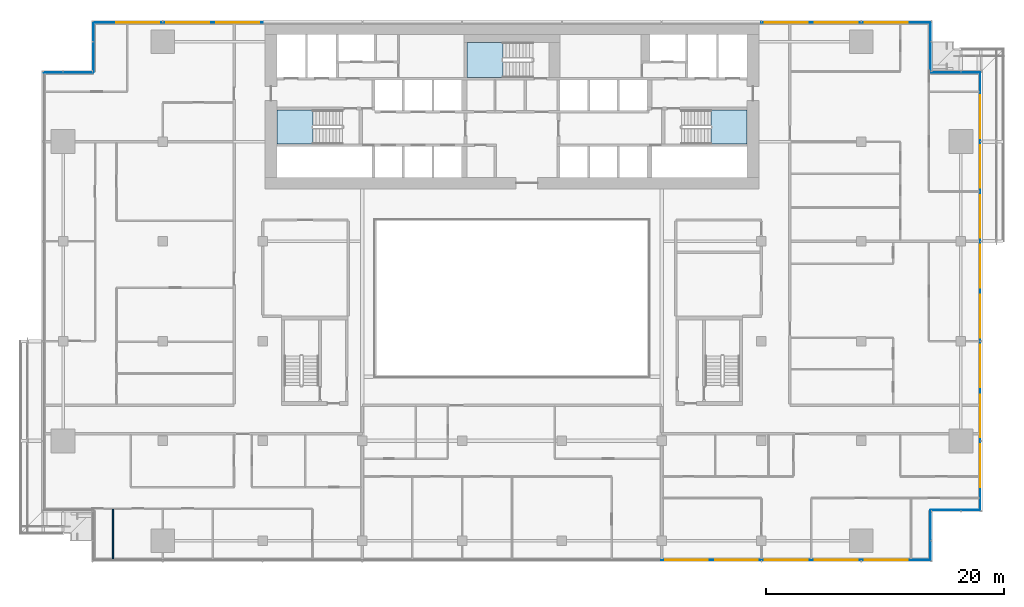
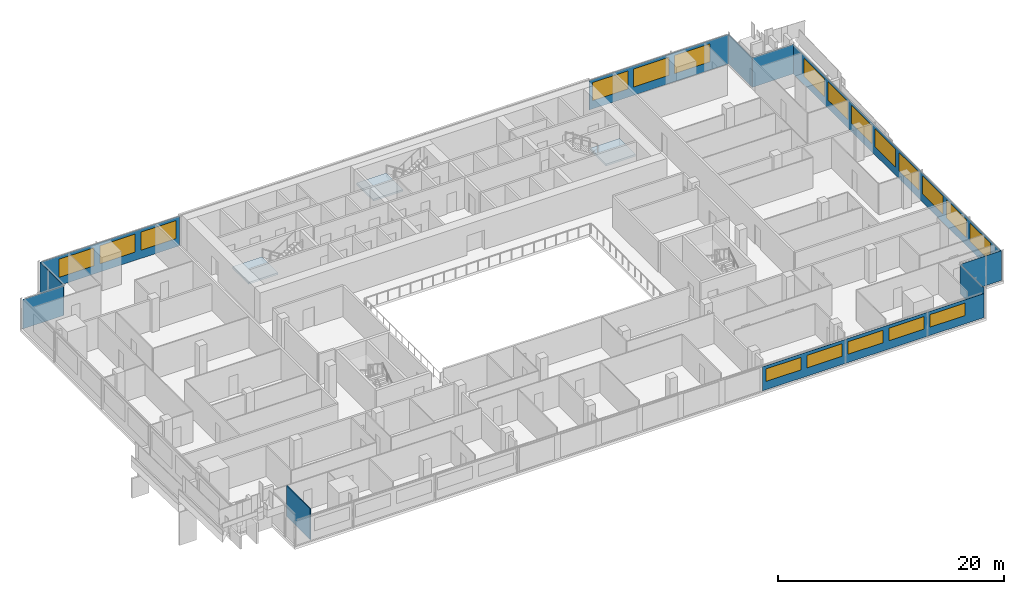
# One storey, part 15 of 27: 19 windows, 10 plates, 3 slabs, 1 wall, 19 openings, 12 elements without a shape of their own.
"""IFC4 building model written with IfcOpenShell, lengths in metres."""

import ifcopenshell
import ifcopenshell.guid

model = None  # the IFC model being written
_history = None  # IfcOwnerHistory: only IFC2X3 demands one
_inside = {}  # id of a spatial element -> (the spatial element, [elements in it])
_under = {}  # id of a project, library or spatial element -> (it, [spatial elements below it])
_declared = {}  # id of a project -> (the project, [libraries it declares])
_typed = {}  # id of a type object -> (the type object, [elements of that type])
_made_of = {}  # id of a material, layer set ... -> (it, [elements and type objects made of it])


def new_model(schema):
    """Start an empty IFC model of exactly this schema.

    Asked for "IFC4X3", IfcOpenShell would pick the latest addendum, in which some entities
    have other attributes; the version numbers below select the first issue.
    IFC2X3 requires an IfcOwnerHistory on every rooted entity: one is made here for all.
    """
    global model, _history
    if schema == "IFC4X3":
        model = ifcopenshell.file(schema_version=(4, 3, 0, 0))
    else:
        model = ifcopenshell.file(schema=schema)
    _inside.clear()
    _under.clear()
    _declared.clear()
    _typed.clear()
    _made_of.clear()
    _history = None
    if model.schema == "IFC2X3":
        org = make("IfcOrganization", Name="unknown")
        user = make(
            "IfcPersonAndOrganization",
            ThePerson=make("IfcPerson", FamilyName="unknown"),
            TheOrganization=org,
        )
        app = make(
            "IfcApplication",
            ApplicationDeveloper=org,
            Version="unknown",
            ApplicationFullName="unknown",
            ApplicationIdentifier="unknown",
        )
        _history = make(
            "IfcOwnerHistory",
            OwningUser=user,
            OwningApplication=app,
            ChangeAction="ADDED",
            CreationDate=0,
        )
    return model


def make(cls, **values):
    """One entity of the class cls with the attributes given. An attribute that is None is left unset."""
    return model.create_entity(
        cls, **{name: value for name, value in values.items() if value is not None}
    )


def rooted(cls, **values):
    """An entity with a GlobalId (a new one), such as an element, a storey or a relation."""
    return make(cls, GlobalId=ifcopenshell.guid.new(), OwnerHistory=_history, **values)


def si_unit(unit_type, name, prefix=None):
    """IfcSIUnit, for example si_unit("LENGTHUNIT", "METRE", prefix="MILLI")."""
    return make("IfcSIUnit", UnitType=unit_type, Prefix=prefix, Name=name)


def assignment(units):
    """IfcUnitAssignment: the units of a project."""
    return None if units is None else make("IfcUnitAssignment", Units=units)


def point(xyz):
    """IfcCartesianPoint."""
    return None if xyz is None else make("IfcCartesianPoint", Coordinates=xyz)


def direction(xyz):
    """IfcDirection."""
    return None if xyz is None else make("IfcDirection", DirectionRatios=xyz)


def frame(location, z_axis=None, x_axis=None):
    """IfcAxis2Placement3D, a coordinate frame: its origin and axes. An axis left out is left unset."""
    return make(
        "IfcAxis2Placement3D",
        Location=point(location),
        Axis=direction(z_axis),
        RefDirection=direction(x_axis),
    )


def frame_2d(location, x_axis=None):
    """IfcAxis2Placement2D, a coordinate frame in the plane: its origin and x axis."""
    return make(
        "IfcAxis2Placement2D", Location=point(location), RefDirection=direction(x_axis)
    )


def origin():
    """The frame at (0, 0, 0) with its axes left unset."""
    return frame((0.0, 0.0, 0.0))


def place(relative_to, where):
    """IfcLocalPlacement: puts the frame where relative to a parent placement (None: the world)."""
    return make(
        "IfcLocalPlacement", PlacementRelTo=relative_to, RelativePlacement=where
    )


def context(
    kind, dimensions, precision=None, world=None, true_north=None, identifier=None
):
    """IfcGeometricRepresentationContext, for example the 3D "Model" context."""
    return make(
        "IfcGeometricRepresentationContext",
        ContextIdentifier=identifier,
        ContextType=kind,
        CoordinateSpaceDimension=dimensions,
        Precision=precision,
        WorldCoordinateSystem=world,
        TrueNorth=true_north,
    )


def subcontext(parent, identifier, kind, view, scale=None):
    """IfcGeometricRepresentationSubContext, for example "Body" below "Model"."""
    return make(
        "IfcGeometricRepresentationSubContext",
        ContextIdentifier=identifier,
        ContextType=kind,
        ParentContext=parent,
        TargetScale=scale,
        TargetView=view,
    )


def project(units=None, contexts=None):
    """IfcProject with its units and contexts."""
    return rooted(
        "IfcProject",
        Name="project",
        RepresentationContexts=contexts,
        UnitsInContext=assignment(units),
    )


def spatial(cls, under=None, at=None, **own):
    """A site, building, storey or space (cls), placed at a placement, below another one or the project."""
    s = rooted(cls, ObjectPlacement=at, **own)
    if under is not None:
        _under.setdefault(under.id(), (under, []))[1].append(s)
    return s


def polyline(points):
    """IfcPolyline through the points."""
    return make("IfcPolyline", Points=[point(p) for p in points])


def profile(cls, at=None, kind="AREA", **sizes):
    """A parametric profile (cls). Its sizes go by their IFC names, for example OverallWidth=200.0."""
    return make(cls, ProfileType=kind, Position=at, **sizes)


def rectangle(**sizes):
    """IfcRectangleProfileDef."""
    return profile("IfcRectangleProfileDef", **sizes)


def outline(outer, holes=None, kind="AREA"):
    """IfcArbitraryClosedProfileDef: a profile drawn as a closed curve; with holes, ...WithVoids."""
    if holes is None:
        return make("IfcArbitraryClosedProfileDef", ProfileType=kind, OuterCurve=outer)
    return make(
        "IfcArbitraryProfileDefWithVoids",
        ProfileType=kind,
        OuterCurve=outer,
        InnerCurves=holes,
    )


def extrude(swept, where, along, depth):
    """IfcExtrudedAreaSolid: the profile swept, set in the frame where, extruded along a direction by depth."""
    return make(
        "IfcExtrudedAreaSolid",
        SweptArea=swept,
        Position=where,
        ExtrudedDirection=direction(along),
        Depth=depth,
    )


def shape(context_of_items, identifier, shape_type, items):
    """IfcShapeRepresentation: the items that make up one representation, for example the "Body"."""
    return make(
        "IfcShapeRepresentation",
        ContextOfItems=context_of_items,
        RepresentationIdentifier=identifier,
        RepresentationType=shape_type,
        Items=items,
    )


def material(Name=None, Category=None):
    """IfcMaterial."""
    return make("IfcMaterial", Name=Name, Category=Category)


def layer(
    of_material, thickness, ventilated=None, Name=None, Category=None, Priority=None
):
    """IfcMaterialLayer: one layer of a wall or slab, of a material (None: an air gap)."""
    return make(
        "IfcMaterialLayer",
        Material=of_material,
        LayerThickness=thickness,
        IsVentilated=ventilated,
        Name=Name,
        Category=Category,
        Priority=Priority,
    )


def layer_set(layers, Name=None):
    """IfcMaterialLayerSet."""
    return make("IfcMaterialLayerSet", MaterialLayers=layers, LayerSetName=Name)


def made_of(thing, what):
    """Note that an element or type object is made of a material, layer set ...; save() writes the relation."""
    if what is not None:
        _made_of.setdefault(what.id(), (what, []))[1].append(thing)
    return thing


def type_object(cls, material=None, **own):
    """A type object (cls), such as IfcWallType, which elements share."""
    return made_of(rooted(cls, **own), material)


def element(
    cls,
    number,
    at=None,
    inside=None,
    cuts=None,
    type_object=None,
    material=None,
    context=None,
    identifier="Body",
    shape_type=None,
    held_by="IfcProductDefinitionShape",
    body=None,
    shapes=None,
    **own,
):
    """One element of the class cls, such as IfcWall. Its Tag is "e" and its number.

    at: its placement. inside: the storey or other place that contains it. cuts: it is an
    opening in that element (IfcRelVoidsElement). A single representation is given by context,
    identifier, shape_type and body (its items); several are given by shapes. held_by: the class
    of the entity that holds the representations. save() writes the other relations.
    """
    e = rooted(cls, Tag="e%d" % number, ObjectPlacement=at, **own)
    if body is not None:
        shapes = [shape(context, identifier, shape_type, body)]
    if shapes is not None:
        e.Representation = make(held_by, Representations=shapes)
    if inside is not None:
        _inside.setdefault(inside.id(), (inside, []))[1].append(e)
    if cuts is not None:
        rooted(
            "IfcRelVoidsElement", RelatingBuildingElement=cuts, RelatedOpeningElement=e
        )
    if type_object is not None:
        _typed.setdefault(type_object.id(), (type_object, []))[1].append(e)
    return made_of(e, material)


def fill(opening, filler):
    """IfcRelFillsElement: the door or window that sits in an opening."""
    return rooted(
        "IfcRelFillsElement",
        RelatingOpeningElement=opening,
        RelatedBuildingElement=filler,
    )


def aggregate(whole, parts):
    """IfcRelAggregates: a whole, such as a stair, and the parts it consists of."""
    return rooted("IfcRelAggregates", RelatingObject=whole, RelatedObjects=parts)


def save(model, path):
    """Write the relations noted so far, then the file.

    IfcRelAggregates (storeys below a building ...), IfcRelContainedInSpatialStructure (elements
    in a storey), IfcRelDefinesByType, IfcRelAssociatesMaterial and IfcRelDeclares: one each for
    every whole, place, type object, material and project.
    """
    for whole, parts in _under.values():
        aggregate(whole, parts)
    for where, things in _inside.values():
        rooted(
            "IfcRelContainedInSpatialStructure",
            RelatedElements=things,
            RelatingStructure=where,
        )
    for kind, things in _typed.values():
        rooted("IfcRelDefinesByType", RelatedObjects=things, RelatingType=kind)
    for what, things in _made_of.values():
        rooted("IfcRelAssociatesMaterial", RelatedObjects=things, RelatingMaterial=what)
    for by, libraries in _declared.values():
        rooted("IfcRelDeclares", RelatingContext=by, RelatedDefinitions=libraries)
    model.write(path)


model = new_model("IFC4")

# Units and contexts
model_context = context("Model", 3, precision=1e-05, world=origin(), true_north=direction((0.0, 1.0)))
body_context = subcontext(model_context, "Body", "Model", "MODEL_VIEW")
ifc_project = project(units=[si_unit("LENGTHUNIT", "METRE"), si_unit("AREAUNIT", "SQUARE_METRE"), si_unit("VOLUMEUNIT", "CUBIC_METRE"), si_unit("PLANEANGLEUNIT", "RADIAN"), si_unit("MASSUNIT", "GRAM", prefix="KILO")], contexts=[model_context])

# Site, building, storey
site_placement = place(None, origin())
site = spatial("IfcSite", under=ifc_project, at=site_placement, CompositionType="ELEMENT")
building_placement = place(site_placement, origin())
building = spatial("IfcBuilding", under=site, at=building_placement, Name="Saffron Gate Tower", CompositionType="ELEMENT")
storey_placement = place(building_placement, frame((0.0, 0.0, 134.85009765625)))
storey = spatial("IfcBuildingStorey", under=building, at=storey_placement, Name="L32", CompositionType="ELEMENT", Elevation=134.85009765625)

# Curtain wall, plate, openings, windows
ifc_material_1 = material(Name="Aluminium, bronze anodised", Category="aluminium")
curtain_wall_type_1 = type_object("IfcCurtainWallType", Name="CWS1 curtain wall front facade", PredefinedType="NOTDEFINED", material=ifc_material_1)
curtain_wall_1_placement = place(storey_placement, origin())
curtain_wall_1 = element("IfcCurtainWall", 1, at=curtain_wall_1_placement, inside=storey, type_object=curtain_wall_type_1, Name="CWS1 run 1", PredefinedType="NOTDEFINED")
ifc_material_2 = material(Name="Fritted bronze-tinted laminated glass", Category="glass")
ifc_layer_1 = layer(ifc_material_2, 0.028076171875)
ifc_layer_set_1 = layer_set([ifc_layer_1], Name="CWS1 fixed glass")
plate_type_1 = type_object("IfcPlateType", Name="CWS1 fixed glass", PredefinedType="CURTAIN_PANEL", material=ifc_layer_set_1)
plate_1_placement = place(storey_placement, frame((100.169921875, 30.174072265625, 0.0), z_axis=(0.0, 0.0, 1.0), x_axis=(1.0, 0.0, 0.0)))
plate_1 = element("IfcPlate", 2, at=plate_1_placement, type_object=plate_type_1, Name="CWS1 glass panel", PredefinedType="CURTAIN_PANEL", context=body_context, shape_type="SweptSolid", body=[
    extrude(rectangle(XDim=22.64208984375, YDim=0.028076171875, at=frame_2d((11.321044921875, 0.0))), origin(), (0.0, 0.0, 1.0), 2.599853515625),
])
opening_1_placement = place(plate_1_placement, frame((0.330078125, 0.0, 0.89990234375)))
opening_1 = element("IfcOpeningElement", 3, at=opening_1_placement, cuts=plate_1, Name="Opening W12", PredefinedType="OPENING", context=body_context, shape_type="SweptSolid", body=[
    extrude(rectangle(XDim=3.60009765625, YDim=1.35009765625, at=frame_2d((1.800048828125, 0.675048828125))), frame((0.0, 0.02392578125, 0.0), z_axis=(0.0, -1.0, 0.0), x_axis=(1.0, 0.0, 0.0)), (0.0, 0.0, 1.0), 0.048095703125),
])
opening_2_placement = place(plate_1_placement, frame((4.530029296875, 0.0, 0.89990234375)))
opening_2 = element("IfcOpeningElement", 4, at=opening_2_placement, cuts=plate_1, Name="Opening W12", PredefinedType="OPENING", context=body_context, shape_type="SweptSolid", body=[
    extrude(rectangle(XDim=3.60009765625, YDim=1.35009765625, at=frame_2d((1.800048828125, 0.675048828125))), frame((0.0, 0.02392578125, 0.0), z_axis=(0.0, -1.0, 0.0), x_axis=(1.0, 0.0, 0.0)), (0.0, 0.0, 1.0), 0.048095703125),
])
opening_3_placement = place(plate_1_placement, frame((8.72998046875, 0.0, 0.89990234375)))
opening_3 = element("IfcOpeningElement", 5, at=opening_3_placement, cuts=plate_1, Name="Opening W12", PredefinedType="OPENING", context=body_context, shape_type="SweptSolid", body=[
    extrude(rectangle(XDim=3.60009765625, YDim=1.35009765625, at=frame_2d((1.800048828125, 0.675048828125))), frame((0.0, 0.02392578125, 0.0), z_axis=(0.0, -1.0, 0.0), x_axis=(1.0, 0.0, 0.0)), (0.0, 0.0, 1.0), 0.048095703125),
])
opening_4_placement = place(plate_1_placement, frame((12.929931640625, 0.0, 0.89990234375)))
opening_4 = element("IfcOpeningElement", 6, at=opening_4_placement, cuts=plate_1, Name="Opening W12", PredefinedType="OPENING", context=body_context, shape_type="SweptSolid", body=[
    extrude(rectangle(XDim=3.60009765625, YDim=1.35009765625, at=frame_2d((1.800048828125, 0.675048828125))), frame((0.0, 0.02392578125, 0.0), z_axis=(0.0, -1.0, 0.0), x_axis=(1.0, 0.0, 0.0)), (0.0, 0.0, 1.0), 0.048095703125),
])
opening_5_placement = place(plate_1_placement, frame((17.1298828125, 0.0, 0.89990234375)))
opening_5 = element("IfcOpeningElement", 7, at=opening_5_placement, cuts=plate_1, Name="Opening W12", PredefinedType="OPENING", context=body_context, shape_type="SweptSolid", body=[
    extrude(rectangle(XDim=3.60009765625, YDim=1.35009765625, at=frame_2d((1.800048828125, 0.675048828125))), frame((0.0, 0.02392578125, 0.0), z_axis=(0.0, -1.0, 0.0), x_axis=(1.0, 0.0, 0.0)), (0.0, 0.0, 1.0), 0.048095703125),
])
ifc_material_3 = material(Name="Fritted bronze-tinted laminated glass in bronze frame", Category="glass")
ifc_layer_2 = layer(ifc_material_3, 0.06005859375)
ifc_layer_set_2 = layer_set([ifc_layer_2], Name="W12 operable panel 3600x1350")
window_type_1 = type_object("IfcWindowType", Name="W12 operable panel 3600x1350", PartitioningType="DOUBLE_PANEL_HORIZONTAL", PredefinedType="WINDOW", material=ifc_layer_set_2)
window_1_placement = place(opening_1_placement, origin())
window_1 = element("IfcWindow", 8, at=window_1_placement, type_object=window_type_1, Name="W12 operable panel", OverallHeight=1.35009765625, OverallWidth=3.60009765625, PartitioningType="SINGLE_PANEL", PredefinedType="WINDOW", context=body_context, shape_type="SweptSolid", body=[
    extrude(rectangle(XDim=3.60009765625, YDim=1.35009765625, at=frame_2d((1.800048828125, 0.675048828125))), frame((0.0, 0.013671875, 0.0), z_axis=(0.0, -1.0, 0.0), x_axis=(1.0, 0.0, 0.0)), (0.0, 0.0, 1.0), 0.027587890625),
])
fill(opening_1, window_1)
window_2_placement = place(opening_2_placement, origin())
window_2 = element("IfcWindow", 9, at=window_2_placement, type_object=window_type_1, Name="W12 operable panel", OverallHeight=1.35009765625, OverallWidth=3.60009765625, PartitioningType="SINGLE_PANEL", PredefinedType="WINDOW", context=body_context, shape_type="SweptSolid", body=[
    extrude(rectangle(XDim=3.60009765625, YDim=1.35009765625, at=frame_2d((1.800048828125, 0.675048828125))), frame((0.0, 0.013671875, 0.0), z_axis=(0.0, -1.0, 0.0), x_axis=(1.0, 0.0, 0.0)), (0.0, 0.0, 1.0), 0.027587890625),
])
fill(opening_2, window_2)
window_3_placement = place(opening_3_placement, origin())
window_3 = element("IfcWindow", 10, at=window_3_placement, type_object=window_type_1, Name="W12 operable panel", OverallHeight=1.35009765625, OverallWidth=3.60009765625, PartitioningType="SINGLE_PANEL", PredefinedType="WINDOW", context=body_context, shape_type="SweptSolid", body=[
    extrude(rectangle(XDim=3.60009765625, YDim=1.35009765625, at=frame_2d((1.800048828125, 0.675048828125))), frame((0.0, 0.013671875, 0.0), z_axis=(0.0, -1.0, 0.0), x_axis=(1.0, 0.0, 0.0)), (0.0, 0.0, 1.0), 0.027587890625),
])
fill(opening_3, window_3)
window_4_placement = place(opening_4_placement, origin())
window_4 = element("IfcWindow", 11, at=window_4_placement, type_object=window_type_1, Name="W12 operable panel", OverallHeight=1.35009765625, OverallWidth=3.60009765625, PartitioningType="SINGLE_PANEL", PredefinedType="WINDOW", context=body_context, shape_type="SweptSolid", body=[
    extrude(rectangle(XDim=3.60009765625, YDim=1.35009765625, at=frame_2d((1.800048828125, 0.675048828125))), frame((0.0, 0.013671875, 0.0), z_axis=(0.0, -1.0, 0.0), x_axis=(1.0, 0.0, 0.0)), (0.0, 0.0, 1.0), 0.027587890625),
])
fill(opening_4, window_4)
window_5_placement = place(opening_5_placement, origin())
window_5 = element("IfcWindow", 12, at=window_5_placement, type_object=window_type_1, Name="W12 operable panel", OverallHeight=1.35009765625, OverallWidth=3.60009765625, PartitioningType="SINGLE_PANEL", PredefinedType="WINDOW", context=body_context, shape_type="SweptSolid", body=[
    extrude(rectangle(XDim=3.60009765625, YDim=1.35009765625, at=frame_2d((1.800048828125, 0.675048828125))), frame((0.0, 0.013671875, 0.0), z_axis=(0.0, -1.0, 0.0), x_axis=(1.0, 0.0, 0.0)), (0.0, 0.0, 1.0), 0.027587890625),
])
fill(opening_5, window_5)
aggregate(curtain_wall_1, [plate_1, window_1, window_2, window_3, window_4, window_5])

curtain_wall_type_2 = type_object("IfcCurtainWallType", Name="CWS2 curtain wall side facades", PredefinedType="NOTDEFINED", material=ifc_material_1)
curtain_wall_2_placement = place(storey_placement, origin())
curtain_wall_2 = element("IfcCurtainWall", 13, at=curtain_wall_2_placement, inside=storey, type_object=curtain_wall_type_2, Name="CWS2 run 4", PredefinedType="NOTDEFINED")
ifc_layer_3 = layer(ifc_material_2, 0.028076171875)
ifc_layer_set_3 = layer_set([ifc_layer_3], Name="CWS2 fixed glass")
plate_type_2 = type_object("IfcPlateType", Name="CWS2 fixed glass", PredefinedType="CURTAIN_PANEL", material=ifc_layer_set_3)
plate_2_placement = place(storey_placement, frame((127.02587890625, 34.387939453125, 0.0), z_axis=(0.0, 0.0, 1.0), x_axis=(0.0, 1.0, 0.0)))
plate_2 = element("IfcPlate", 14, at=plate_2_placement, type_object=plate_type_2, Name="CWS2 glass panel", PredefinedType="CURTAIN_PANEL", context=body_context, shape_type="SweptSolid", body=[
    extrude(rectangle(XDim=36.823974609375, YDim=0.028076171875, at=frame_2d((18.412109375, 0.0))), origin(), (0.0, 0.0, 1.0), 3.199951171875),
])
opening_6_placement = place(plate_2_placement, frame((1.912109375, 0.0, 0.89990234375)))
opening_6 = element("IfcOpeningElement", 15, at=opening_6_placement, cuts=plate_2, Name="Opening W1", PredefinedType="OPENING", context=body_context, shape_type="SweptSolid", body=[
    extrude(rectangle(XDim=3.60009765625, YDim=1.949951171875, at=frame_2d((1.800048828125, 0.97509765625))), frame((0.0, 0.02392578125, 0.0), z_axis=(0.0, -1.0, 0.0), x_axis=(1.0, 0.0, 0.0)), (0.0, 0.0, 1.0), 0.048095703125),
])
opening_7_placement = place(plate_2_placement, frame((6.112060546875, 0.0, 0.89990234375)))
opening_7 = element("IfcOpeningElement", 16, at=opening_7_placement, cuts=plate_2, Name="Opening W1", PredefinedType="OPENING", context=body_context, shape_type="SweptSolid", body=[
    extrude(rectangle(XDim=3.60009765625, YDim=1.949951171875, at=frame_2d((1.800048828125, 0.97509765625))), frame((0.0, 0.02392578125, 0.0), z_axis=(0.0, -1.0, 0.0), x_axis=(1.0, 0.0, 0.0)), (0.0, 0.0, 1.0), 0.048095703125),
])
opening_8_placement = place(plate_2_placement, frame((10.31201171875, 0.0, 0.89990234375)))
opening_8 = element("IfcOpeningElement", 17, at=opening_8_placement, cuts=plate_2, Name="Opening W1", PredefinedType="OPENING", context=body_context, shape_type="SweptSolid", body=[
    extrude(rectangle(XDim=3.60009765625, YDim=1.949951171875, at=frame_2d((1.800048828125, 0.97509765625))), frame((0.0, 0.02392578125, 0.0), z_axis=(0.0, -1.0, 0.0), x_axis=(1.0, 0.0, 0.0)), (0.0, 0.0, 1.0), 0.048095703125),
])
opening_9_placement = place(plate_2_placement, frame((14.511962890625, 0.0, 0.89990234375)))
opening_9 = element("IfcOpeningElement", 18, at=opening_9_placement, cuts=plate_2, Name="Opening W1", PredefinedType="OPENING", context=body_context, shape_type="SweptSolid", body=[
    extrude(rectangle(XDim=3.60009765625, YDim=1.949951171875, at=frame_2d((1.800048828125, 0.97509765625))), frame((0.0, 0.02392578125, 0.0), z_axis=(0.0, -1.0, 0.0), x_axis=(1.0, 0.0, 0.0)), (0.0, 0.0, 1.0), 0.048095703125),
])
opening_10_placement = place(plate_2_placement, frame((18.7119140625, 0.0, 0.89990234375)))
opening_10 = element("IfcOpeningElement", 19, at=opening_10_placement, cuts=plate_2, Name="Opening W1", PredefinedType="OPENING", context=body_context, shape_type="SweptSolid", body=[
    extrude(rectangle(XDim=3.60009765625, YDim=1.949951171875, at=frame_2d((1.800048828125, 0.97509765625))), frame((0.0, 0.02392578125, 0.0), z_axis=(0.0, -1.0, 0.0), x_axis=(1.0, 0.0, 0.0)), (0.0, 0.0, 1.0), 0.048095703125),
])
opening_11_placement = place(plate_2_placement, frame((22.912109375, 0.0, 0.89990234375)))
opening_11 = element("IfcOpeningElement", 20, at=opening_11_placement, cuts=plate_2, Name="Opening W1", PredefinedType="OPENING", context=body_context, shape_type="SweptSolid", body=[
    extrude(rectangle(XDim=3.60009765625, YDim=1.949951171875, at=frame_2d((1.800048828125, 0.97509765625))), frame((0.0, 0.02392578125, 0.0), z_axis=(0.0, -1.0, 0.0), x_axis=(1.0, 0.0, 0.0)), (0.0, 0.0, 1.0), 0.048095703125),
])
opening_12_placement = place(plate_2_placement, frame((27.112060546875, 0.0, 0.89990234375)))
opening_12 = element("IfcOpeningElement", 21, at=opening_12_placement, cuts=plate_2, Name="Opening W1", PredefinedType="OPENING", context=body_context, shape_type="SweptSolid", body=[
    extrude(rectangle(XDim=3.60009765625, YDim=1.949951171875, at=frame_2d((1.800048828125, 0.97509765625))), frame((0.0, 0.02392578125, 0.0), z_axis=(0.0, -1.0, 0.0), x_axis=(1.0, 0.0, 0.0)), (0.0, 0.0, 1.0), 0.048095703125),
])
opening_13_placement = place(plate_2_placement, frame((31.31201171875, 0.0, 0.89990234375)))
opening_13 = element("IfcOpeningElement", 22, at=opening_13_placement, cuts=plate_2, Name="Opening W1", PredefinedType="OPENING", context=body_context, shape_type="SweptSolid", body=[
    extrude(rectangle(XDim=3.60009765625, YDim=1.949951171875, at=frame_2d((1.800048828125, 0.97509765625))), frame((0.0, 0.02392578125, 0.0), z_axis=(0.0, -1.0, 0.0), x_axis=(1.0, 0.0, 0.0)), (0.0, 0.0, 1.0), 0.048095703125),
])
ifc_layer_4 = layer(ifc_material_3, 0.06005859375)
ifc_layer_set_4 = layer_set([ifc_layer_4], Name="W1 operable panel 3600x1950")
window_type_2 = type_object("IfcWindowType", Name="W1 operable panel 3600x1950", PartitioningType="DOUBLE_PANEL_HORIZONTAL", PredefinedType="WINDOW", material=ifc_layer_set_4)
window_6_placement = place(opening_6_placement, origin())
window_6 = element("IfcWindow", 23, at=window_6_placement, type_object=window_type_2, Name="W1 operable panel", OverallHeight=1.949951171875, OverallWidth=3.60009765625, PartitioningType="SINGLE_PANEL", PredefinedType="WINDOW", context=body_context, shape_type="SweptSolid", body=[
    extrude(rectangle(XDim=3.60009765625, YDim=1.949951171875, at=frame_2d((1.800048828125, 0.97509765625))), frame((0.0, 0.013671875, 0.0), z_axis=(0.0, -1.0, 0.0), x_axis=(1.0, 0.0, 0.0)), (0.0, 0.0, 1.0), 0.027587890625),
])
fill(opening_6, window_6)
window_7_placement = place(opening_7_placement, origin())
window_7 = element("IfcWindow", 24, at=window_7_placement, type_object=window_type_2, Name="W1 operable panel", OverallHeight=1.949951171875, OverallWidth=3.60009765625, PartitioningType="SINGLE_PANEL", PredefinedType="WINDOW", context=body_context, shape_type="SweptSolid", body=[
    extrude(rectangle(XDim=3.60009765625, YDim=1.949951171875, at=frame_2d((1.800048828125, 0.97509765625))), frame((0.0, 0.013671875, 0.0), z_axis=(0.0, -1.0, 0.0), x_axis=(1.0, 0.0, 0.0)), (0.0, 0.0, 1.0), 0.027587890625),
])
fill(opening_7, window_7)
window_8_placement = place(opening_8_placement, origin())
window_8 = element("IfcWindow", 25, at=window_8_placement, type_object=window_type_2, Name="W1 operable panel", OverallHeight=1.949951171875, OverallWidth=3.60009765625, PartitioningType="SINGLE_PANEL", PredefinedType="WINDOW", context=body_context, shape_type="SweptSolid", body=[
    extrude(rectangle(XDim=3.60009765625, YDim=1.949951171875, at=frame_2d((1.800048828125, 0.97509765625))), frame((0.0, 0.013671875, 0.0), z_axis=(0.0, -1.0, 0.0), x_axis=(1.0, 0.0, 0.0)), (0.0, 0.0, 1.0), 0.027587890625),
])
fill(opening_8, window_8)
window_9_placement = place(opening_9_placement, origin())
window_9 = element("IfcWindow", 26, at=window_9_placement, type_object=window_type_2, Name="W1 operable panel", OverallHeight=1.949951171875, OverallWidth=3.60009765625, PartitioningType="SINGLE_PANEL", PredefinedType="WINDOW", context=body_context, shape_type="SweptSolid", body=[
    extrude(rectangle(XDim=3.60009765625, YDim=1.949951171875, at=frame_2d((1.800048828125, 0.97509765625))), frame((0.0, 0.013671875, 0.0), z_axis=(0.0, -1.0, 0.0), x_axis=(1.0, 0.0, 0.0)), (0.0, 0.0, 1.0), 0.027587890625),
])
fill(opening_9, window_9)
window_10_placement = place(opening_10_placement, origin())
window_10 = element("IfcWindow", 27, at=window_10_placement, type_object=window_type_2, Name="W1 operable panel", OverallHeight=1.949951171875, OverallWidth=3.60009765625, PartitioningType="SINGLE_PANEL", PredefinedType="WINDOW", context=body_context, shape_type="SweptSolid", body=[
    extrude(rectangle(XDim=3.60009765625, YDim=1.949951171875, at=frame_2d((1.800048828125, 0.97509765625))), frame((0.0, 0.013671875, 0.0), z_axis=(0.0, -1.0, 0.0), x_axis=(1.0, 0.0, 0.0)), (0.0, 0.0, 1.0), 0.027587890625),
])
fill(opening_10, window_10)
window_11_placement = place(opening_11_placement, origin())
window_11 = element("IfcWindow", 28, at=window_11_placement, type_object=window_type_2, Name="W1 operable panel", OverallHeight=1.949951171875, OverallWidth=3.60009765625, PartitioningType="SINGLE_PANEL", PredefinedType="WINDOW", context=body_context, shape_type="SweptSolid", body=[
    extrude(rectangle(XDim=3.60009765625, YDim=1.949951171875, at=frame_2d((1.800048828125, 0.97509765625))), frame((0.0, 0.013671875, 0.0), z_axis=(0.0, -1.0, 0.0), x_axis=(1.0, 0.0, 0.0)), (0.0, 0.0, 1.0), 0.027587890625),
])
fill(opening_11, window_11)
window_12_placement = place(opening_12_placement, origin())
window_12 = element("IfcWindow", 29, at=window_12_placement, type_object=window_type_2, Name="W1 operable panel", OverallHeight=1.949951171875, OverallWidth=3.60009765625, PartitioningType="SINGLE_PANEL", PredefinedType="WINDOW", context=body_context, shape_type="SweptSolid", body=[
    extrude(rectangle(XDim=3.60009765625, YDim=1.949951171875, at=frame_2d((1.800048828125, 0.97509765625))), frame((0.0, 0.013671875, 0.0), z_axis=(0.0, -1.0, 0.0), x_axis=(1.0, 0.0, 0.0)), (0.0, 0.0, 1.0), 0.027587890625),
])
fill(opening_12, window_12)
window_13_placement = place(opening_13_placement, origin())
window_13 = element("IfcWindow", 30, at=window_13_placement, type_object=window_type_2, Name="W1 operable panel", OverallHeight=1.949951171875, OverallWidth=3.60009765625, PartitioningType="SINGLE_PANEL", PredefinedType="WINDOW", context=body_context, shape_type="SweptSolid", body=[
    extrude(rectangle(XDim=3.60009765625, YDim=1.949951171875, at=frame_2d((1.800048828125, 0.97509765625))), frame((0.0, 0.013671875, 0.0), z_axis=(0.0, -1.0, 0.0), x_axis=(1.0, 0.0, 0.0)), (0.0, 0.0, 1.0), 0.027587890625),
])
fill(opening_13, window_13)
aggregate(curtain_wall_2, [plate_2, window_6, window_7, window_8, window_9, window_10, window_11, window_12, window_13])

# Curtain wall, plates, openings, windows
curtain_wall_type_3 = type_object("IfcCurtainWallType", Name="CWS3 curtain wall rear facade", PredefinedType="NOTDEFINED", material=ifc_material_1)
curtain_wall_3_placement = place(storey_placement, origin())
curtain_wall_3 = element("IfcCurtainWall", 31, at=curtain_wall_3_placement, inside=storey, type_object=curtain_wall_type_3, Name="CWS3 run 7", PredefinedType="NOTDEFINED")
ifc_material_4 = material(Name="Fritted grey-tinted laminated glass", Category="glass")
ifc_layer_5 = layer(ifc_material_4, 0.028076171875)
ifc_layer_set_5 = layer_set([ifc_layer_5], Name="CWS3 fixed glass")
plate_type_3 = type_object("IfcPlateType", Name="CWS3 fixed glass", PredefinedType="CURTAIN_PANEL", material=ifc_layer_set_5)
plate_3_placement = place(storey_placement, frame((122.81201171875, 75.426025390625, 0.0), z_axis=(0.0, 0.0, 1.0), x_axis=(-1.0, 0.0, 0.0)))
plate_3 = element("IfcPlate", 32, at=plate_3_placement, type_object=plate_type_3, Name="CWS3 glass panel", PredefinedType="CURTAIN_PANEL", context=body_context, shape_type="SweptSolid", body=[
    extrude(rectangle(XDim=14.2470703125, YDim=0.028076171875, at=frame_2d((7.12353515625, 0.0))), origin(), (0.0, 0.0, 1.0), 3.199951171875),
])
opening_14_placement = place(plate_3_placement, frame((1.912109375, 0.0, 0.89990234375)))
opening_14 = element("IfcOpeningElement", 33, at=opening_14_placement, cuts=plate_3, Name="Opening W1", PredefinedType="OPENING", context=body_context, shape_type="SweptSolid", body=[
    extrude(rectangle(XDim=3.60009765625, YDim=1.949951171875, at=frame_2d((1.800048828125, 0.97509765625))), frame((0.0, 0.02392578125, 0.0), z_axis=(0.0, -1.0, 0.0), x_axis=(1.0, 0.0, 0.0)), (0.0, 0.0, 1.0), 0.048095703125),
])
opening_15_placement = place(plate_3_placement, frame((6.112060546875, 0.0, 0.89990234375)))
opening_15 = element("IfcOpeningElement", 34, at=opening_15_placement, cuts=plate_3, Name="Opening W1", PredefinedType="OPENING", context=body_context, shape_type="SweptSolid", body=[
    extrude(rectangle(XDim=3.60009765625, YDim=1.949951171875, at=frame_2d((1.800048828125, 0.97509765625))), frame((0.0, 0.02392578125, 0.0), z_axis=(0.0, -1.0, 0.0), x_axis=(1.0, 0.0, 0.0)), (0.0, 0.0, 1.0), 0.048095703125),
])
opening_16_placement = place(plate_3_placement, frame((10.31201171875, 0.0, 0.89990234375)))
opening_16 = element("IfcOpeningElement", 35, at=opening_16_placement, cuts=plate_3, Name="Opening W1", PredefinedType="OPENING", context=body_context, shape_type="SweptSolid", body=[
    extrude(rectangle(XDim=3.60009765625, YDim=1.949951171875, at=frame_2d((1.800048828125, 0.97509765625))), frame((0.0, 0.02392578125, 0.0), z_axis=(0.0, -1.0, 0.0), x_axis=(1.0, 0.0, 0.0)), (0.0, 0.0, 1.0), 0.048095703125),
])
window_14_placement = place(opening_14_placement, origin())
window_14 = element("IfcWindow", 36, at=window_14_placement, type_object=window_type_2, Name="W1 operable panel", OverallHeight=1.949951171875, OverallWidth=3.60009765625, PartitioningType="SINGLE_PANEL", PredefinedType="WINDOW", context=body_context, shape_type="SweptSolid", body=[
    extrude(rectangle(XDim=3.60009765625, YDim=1.949951171875, at=frame_2d((1.800048828125, 0.97509765625))), frame((0.0, 0.013671875, 0.0), z_axis=(0.0, -1.0, 0.0), x_axis=(1.0, 0.0, 0.0)), (0.0, 0.0, 1.0), 0.027587890625),
])
fill(opening_14, window_14)
window_15_placement = place(opening_15_placement, origin())
window_15 = element("IfcWindow", 37, at=window_15_placement, type_object=window_type_2, Name="W1 operable panel", OverallHeight=1.949951171875, OverallWidth=3.60009765625, PartitioningType="SINGLE_PANEL", PredefinedType="WINDOW", context=body_context, shape_type="SweptSolid", body=[
    extrude(rectangle(XDim=3.60009765625, YDim=1.949951171875, at=frame_2d((1.800048828125, 0.97509765625))), frame((0.0, 0.013671875, 0.0), z_axis=(0.0, -1.0, 0.0), x_axis=(1.0, 0.0, 0.0)), (0.0, 0.0, 1.0), 0.027587890625),
])
fill(opening_15, window_15)
window_16_placement = place(opening_16_placement, origin())
window_16 = element("IfcWindow", 38, at=window_16_placement, type_object=window_type_2, Name="W1 operable panel", OverallHeight=1.949951171875, OverallWidth=3.60009765625, PartitioningType="SINGLE_PANEL", PredefinedType="WINDOW", context=body_context, shape_type="SweptSolid", body=[
    extrude(rectangle(XDim=3.60009765625, YDim=1.949951171875, at=frame_2d((1.800048828125, 0.97509765625))), frame((0.0, 0.013671875, 0.0), z_axis=(0.0, -1.0, 0.0), x_axis=(1.0, 0.0, 0.0)), (0.0, 0.0, 1.0), 0.027587890625),
])
fill(opening_16, window_16)
plate_4_placement = place(storey_placement, frame((66.635009765625, 75.426025390625, 0.0), z_axis=(0.0, 0.0, 1.0), x_axis=(-1.0, 0.0, 0.0)))
plate_4 = element("IfcPlate", 39, at=plate_4_placement, type_object=plate_type_3, Name="CWS3 glass panel", PredefinedType="CURTAIN_PANEL", context=body_context, shape_type="SweptSolid", body=[
    extrude(rectangle(XDim=14.2470703125, YDim=0.028076171875, at=frame_2d((7.12353515625, 0.0))), origin(), (0.0, 0.0, 1.0), 3.199951171875),
])
opening_17_placement = place(plate_4_placement, frame((0.3349609375, 0.0, 0.89990234375)))
opening_17 = element("IfcOpeningElement", 40, at=opening_17_placement, cuts=plate_4, Name="Opening W1", PredefinedType="OPENING", context=body_context, shape_type="SweptSolid", body=[
    extrude(rectangle(XDim=3.60009765625, YDim=1.949951171875, at=frame_2d((1.800048828125, 0.97509765625))), frame((0.0, 0.02392578125, 0.0), z_axis=(0.0, -1.0, 0.0), x_axis=(1.0, 0.0, 0.0)), (0.0, 0.0, 1.0), 0.048095703125),
])
opening_18_placement = place(plate_4_placement, frame((4.534912109375, 0.0, 0.89990234375)))
opening_18 = element("IfcOpeningElement", 41, at=opening_18_placement, cuts=plate_4, Name="Opening W1", PredefinedType="OPENING", context=body_context, shape_type="SweptSolid", body=[
    extrude(rectangle(XDim=3.60009765625, YDim=1.949951171875, at=frame_2d((1.800048828125, 0.97509765625))), frame((0.0, 0.02392578125, 0.0), z_axis=(0.0, -1.0, 0.0), x_axis=(1.0, 0.0, 0.0)), (0.0, 0.0, 1.0), 0.048095703125),
])
opening_19_placement = place(plate_4_placement, frame((8.735107421875, 0.0, 0.89990234375)))
opening_19 = element("IfcOpeningElement", 42, at=opening_19_placement, cuts=plate_4, Name="Opening W1", PredefinedType="OPENING", context=body_context, shape_type="SweptSolid", body=[
    extrude(rectangle(XDim=3.60009765625, YDim=1.949951171875, at=frame_2d((1.800048828125, 0.97509765625))), frame((0.0, 0.02392578125, 0.0), z_axis=(0.0, -1.0, 0.0), x_axis=(1.0, 0.0, 0.0)), (0.0, 0.0, 1.0), 0.048095703125),
])
window_17_placement = place(opening_17_placement, origin())
window_17 = element("IfcWindow", 43, at=window_17_placement, type_object=window_type_2, Name="W1 operable panel", OverallHeight=1.949951171875, OverallWidth=3.60009765625, PartitioningType="SINGLE_PANEL", PredefinedType="WINDOW", context=body_context, shape_type="SweptSolid", body=[
    extrude(rectangle(XDim=3.60009765625, YDim=1.949951171875, at=frame_2d((1.800048828125, 0.97509765625))), frame((0.0, 0.013671875, 0.0), z_axis=(0.0, -1.0, 0.0), x_axis=(1.0, 0.0, 0.0)), (0.0, 0.0, 1.0), 0.027587890625),
])
fill(opening_17, window_17)
window_18_placement = place(opening_18_placement, origin())
window_18 = element("IfcWindow", 44, at=window_18_placement, type_object=window_type_2, Name="W1 operable panel", OverallHeight=1.949951171875, OverallWidth=3.60009765625, PartitioningType="SINGLE_PANEL", PredefinedType="WINDOW", context=body_context, shape_type="SweptSolid", body=[
    extrude(rectangle(XDim=3.60009765625, YDim=1.949951171875, at=frame_2d((1.800048828125, 0.97509765625))), frame((0.0, 0.013671875, 0.0), z_axis=(0.0, -1.0, 0.0), x_axis=(1.0, 0.0, 0.0)), (0.0, 0.0, 1.0), 0.027587890625),
])
fill(opening_18, window_18)
window_19_placement = place(opening_19_placement, origin())
window_19 = element("IfcWindow", 45, at=window_19_placement, type_object=window_type_2, Name="W1 operable panel", OverallHeight=1.949951171875, OverallWidth=3.60009765625, PartitioningType="SINGLE_PANEL", PredefinedType="WINDOW", context=body_context, shape_type="SweptSolid", body=[
    extrude(rectangle(XDim=3.60009765625, YDim=1.949951171875, at=frame_2d((1.800048828125, 0.97509765625))), frame((0.0, 0.013671875, 0.0), z_axis=(0.0, -1.0, 0.0), x_axis=(1.0, 0.0, 0.0)), (0.0, 0.0, 1.0), 0.027587890625),
])
fill(opening_19, window_19)
aggregate(curtain_wall_3, [plate_3, plate_4, window_14, window_15, window_16, window_17, window_18, window_19])

# Curtain wall, plate
curtain_wall_type_4 = type_object("IfcCurtainWallType", Name="CWS4 curtain wall corner returns", PredefinedType="NOTDEFINED", material=ifc_material_1)
curtain_wall_4_placement = place(storey_placement, origin())
curtain_wall_4 = element("IfcCurtainWall", 46, at=curtain_wall_4_placement, inside=storey, type_object=curtain_wall_type_4, Name="CWS4 run 2", PredefinedType="NOTDEFINED")
ifc_layer_6 = layer(ifc_material_2, 0.028076171875)
ifc_layer_set_6 = layer_set([ifc_layer_6], Name="CWS4 fixed glass")
plate_type_4 = type_object("IfcPlateType", Name="CWS4 fixed glass", PredefinedType="CURTAIN_PANEL", material=ifc_layer_set_6)
plate_5_placement = place(storey_placement, frame((122.825927734375, 30.18798828125, 0.0), z_axis=(0.0, 0.0, 1.0), x_axis=(0.0, 1.0, 0.0)))
plate_5 = element("IfcPlate", 47, at=plate_5_placement, type_object=plate_type_4, Name="CWS4 glass panel", PredefinedType="CURTAIN_PANEL", context=body_context, shape_type="SweptSolid", body=[
    extrude(rectangle(XDim=4.172119140625, YDim=0.028076171875, at=frame_2d((2.0859375, 0.0))), origin(), (0.0, 0.0, 1.0), 3.199951171875),
])
aggregate(curtain_wall_4, [plate_5])

curtain_wall_5_placement = place(storey_placement, origin())
curtain_wall_5 = element("IfcCurtainWall", 48, at=curtain_wall_5_placement, inside=storey, type_object=curtain_wall_type_4, Name="CWS4 run 3", PredefinedType="NOTDEFINED")
plate_6_placement = place(storey_placement, frame((122.840087890625, 34.3740234375, 0.0), z_axis=(0.0, 0.0, 1.0), x_axis=(1.0, 0.0, 0.0)))
plate_6 = element("IfcPlate", 49, at=plate_6_placement, type_object=plate_type_4, Name="CWS4 glass panel", PredefinedType="CURTAIN_PANEL", context=body_context, shape_type="SweptSolid", body=[
    extrude(rectangle(XDim=4.171875, YDim=0.028076171875, at=frame_2d((2.0859375, 0.0))), origin(), (0.0, 0.0, 1.0), 3.199951171875),
])
aggregate(curtain_wall_5, [plate_6])

curtain_wall_6_placement = place(storey_placement, origin())
curtain_wall_6 = element("IfcCurtainWall", 50, at=curtain_wall_6_placement, inside=storey, type_object=curtain_wall_type_4, Name="CWS4 run 5", PredefinedType="NOTDEFINED")
plate_7_placement = place(storey_placement, frame((127.011962890625, 71.22607421875, 0.0), z_axis=(0.0, 0.0, 1.0), x_axis=(-1.0, 0.0, 0.0)))
plate_7 = element("IfcPlate", 51, at=plate_7_placement, type_object=plate_type_4, Name="CWS4 glass panel", PredefinedType="CURTAIN_PANEL", context=body_context, shape_type="SweptSolid", body=[
    extrude(rectangle(XDim=4.171875, YDim=0.028076171875, at=frame_2d((2.0859375, 0.0))), origin(), (0.0, 0.0, 1.0), 3.199951171875),
])
aggregate(curtain_wall_6, [plate_7])

curtain_wall_7_placement = place(storey_placement, origin())
curtain_wall_7 = element("IfcCurtainWall", 52, at=curtain_wall_7_placement, inside=storey, type_object=curtain_wall_type_4, Name="CWS4 run 6", PredefinedType="NOTDEFINED")
plate_8_placement = place(storey_placement, frame((122.825927734375, 71.239990234375, 0.0), z_axis=(0.0, 0.0, 1.0), x_axis=(0.0, 1.0, 0.0)))
plate_8 = element("IfcPlate", 53, at=plate_8_placement, type_object=plate_type_4, Name="CWS4 glass panel", PredefinedType="CURTAIN_PANEL", context=body_context, shape_type="SweptSolid", body=[
    extrude(rectangle(XDim=4.172119140625, YDim=0.028076171875, at=frame_2d((2.0859375, 0.0))), origin(), (0.0, 0.0, 1.0), 3.199951171875),
])
aggregate(curtain_wall_7, [plate_8])

curtain_wall_8_placement = place(storey_placement, origin())
curtain_wall_8 = element("IfcCurtainWall", 54, at=curtain_wall_8_placement, inside=storey, type_object=curtain_wall_type_4, Name="CWS4 run 8", PredefinedType="NOTDEFINED")
plate_9_placement = place(storey_placement, frame((52.3740234375, 75.412109375, 0.0), z_axis=(0.0, 0.0, 1.0), x_axis=(0.0, -1.0, 0.0)))
plate_9 = element("IfcPlate", 55, at=plate_9_placement, type_object=plate_type_4, Name="CWS4 glass panel", PredefinedType="CURTAIN_PANEL", context=body_context, shape_type="SweptSolid", body=[
    extrude(rectangle(XDim=4.172119140625, YDim=0.028076171875, at=frame_2d((2.0859375, 0.0))), origin(), (0.0, 0.0, 1.0), 3.199951171875),
])
aggregate(curtain_wall_8, [plate_9])

curtain_wall_9_placement = place(storey_placement, origin())
curtain_wall_9 = element("IfcCurtainWall", 56, at=curtain_wall_9_placement, inside=storey, type_object=curtain_wall_type_4, Name="CWS4 run 9", PredefinedType="NOTDEFINED")
plate_10_placement = place(storey_placement, frame((52.360107421875, 71.22607421875, 0.0), z_axis=(0.0, 0.0, 1.0), x_axis=(-1.0, 0.0, 0.0)))
plate_10 = element("IfcPlate", 57, at=plate_10_placement, type_object=plate_type_4, Name="CWS4 glass panel", PredefinedType="CURTAIN_PANEL", context=body_context, shape_type="SweptSolid", body=[
    extrude(rectangle(XDim=4.172119140625, YDim=0.028076171875, at=frame_2d((2.0859375, 0.0))), origin(), (0.0, 0.0, 1.0), 3.199951171875),
])
aggregate(curtain_wall_9, [plate_10])

# Stair, slab
ifc_material_5 = material(Name="Concrete C40", Category="concrete")
stair_type = type_object("IfcStairType", Name="ST7 Stair 1350 wide, 20 risers of 180", PredefinedType="HALF_TURN_STAIR", material=ifc_material_5)
stair_1_placement = place(storey_placement, origin())
stair_1 = element("IfcStair", 58, at=stair_1_placement, inside=storey, type_object=stair_type, Name="L32 Exit stair A", PredefinedType="HALF_TURN_STAIR")
ifc_layer_7 = layer(ifc_material_5, 0.199951171875)
ifc_layer_set_7 = layer_set([ifc_layer_7], Name="SL1 Stair landing 200")
slab_type = type_object("IfcSlabType", Name="SL1 Stair landing 200", PredefinedType="LANDING", material=ifc_layer_set_7)
slab_1_placement = place(storey_placement, frame((0.0, 0.0, 1.599853515625)))
slab_1 = element("IfcSlab", 59, at=slab_1_placement, type_object=slab_type, Name="ST-A landing 1", PredefinedType="LANDING", context=body_context, shape_type="SweptSolid", body=[
    extrude(outline(polyline([(70.830078125, 68.050048828125), (67.800048828125, 68.050048828125), (67.800048828125, 65.199951171875), (70.830078125, 65.199951171875), (70.830078125, 68.050048828125)])), origin(), (0.0, 0.0, 1.0), 0.199951171875),
])
aggregate(stair_1, [slab_1])

stair_2_placement = place(storey_placement, origin())
stair_2 = element("IfcStair", 60, at=stair_2_placement, inside=storey, type_object=stair_type, Name="L32 Exit stair B", PredefinedType="HALF_TURN_STAIR")
slab_2_placement = place(storey_placement, frame((0.0, 0.0, 1.599853515625)))
slab_2 = element("IfcSlab", 61, at=slab_2_placement, type_object=slab_type, Name="ST-B landing 1", PredefinedType="LANDING", context=body_context, shape_type="SweptSolid", body=[
    extrude(outline(polyline([(104.3701171875, 65.199951171875), (107.39990234375, 65.199951171875), (107.39990234375, 68.050048828125), (104.3701171875, 68.050048828125), (104.3701171875, 65.199951171875)])), origin(), (0.0, 0.0, 1.0), 0.199951171875),
])
aggregate(stair_2, [slab_2])

stair_3_placement = place(storey_placement, origin())
stair_3 = element("IfcStair", 62, at=stair_3_placement, inside=storey, type_object=stair_type, Name="L32 Exit stair C", PredefinedType="HALF_TURN_STAIR")
slab_3_placement = place(storey_placement, frame((0.0, 0.0, 1.599853515625)))
slab_3 = element("IfcSlab", 63, at=slab_3_placement, type_object=slab_type, Name="ST-C landing 1", PredefinedType="LANDING", context=body_context, shape_type="SweptSolid", body=[
    extrude(outline(polyline([(86.830078125, 73.75), (83.800048828125, 73.75), (83.800048828125, 70.800048828125), (86.830078125, 70.800048828125), (86.830078125, 73.75)])), origin(), (0.0, 0.0, 1.0), 0.199951171875),
])
aggregate(stair_3, [slab_3])

# Wall
ifc_material_6 = material(Name="Plasterboard on steel studs", Category="steel")
ifc_layer_8 = layer(ifc_material_6, 0.10009765625)
ifc_layer_set_8 = layer_set([ifc_layer_8], Name="PW1 Partition 100")
wall_type = type_object("IfcWallType", Name="PW1 Partition 100", PredefinedType="PARTITIONING", material=ifc_layer_set_8)
wall_placement = place(storey_placement, frame((54.0, 34.449951171875, 0.0), z_axis=(0.0, 0.0, 1.0), x_axis=(0.0, -1.0, 0.0)))
element("IfcWall", 64, at=wall_placement, inside=storey, type_object=wall_type, Name="Partition B4-54", PredefinedType="PARTITIONING", context=body_context, shape_type="SweptSolid", body=[
    extrude(rectangle(XDim=4.169921875, YDim=0.10009765625, at=frame_2d((2.0849609375, 0.0))), origin(), (0.0, 0.0, 1.0), 3.31982421875),
])

save(model, "model.ifc")
